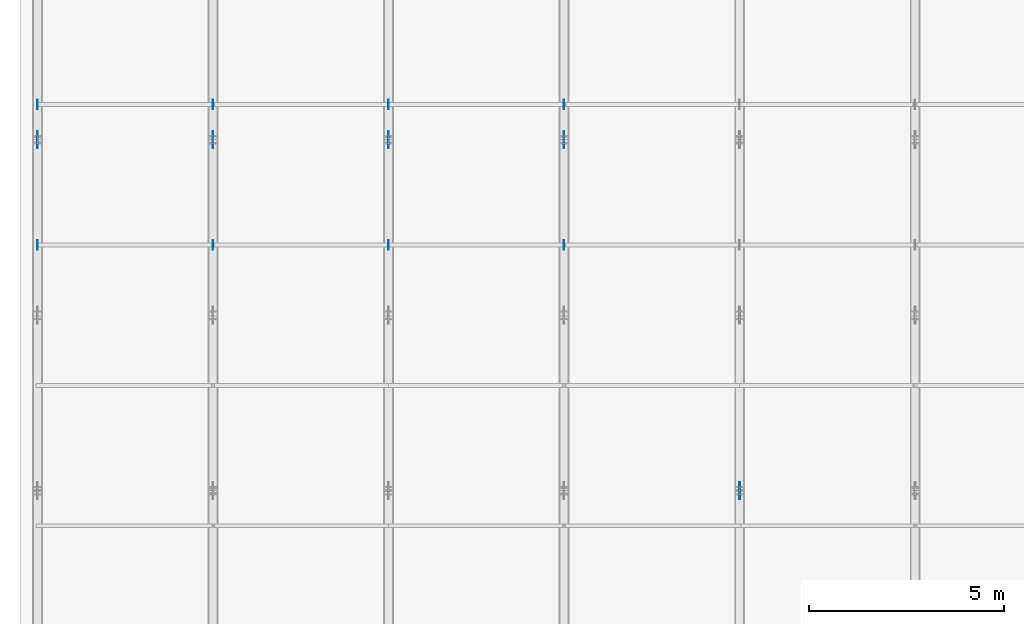
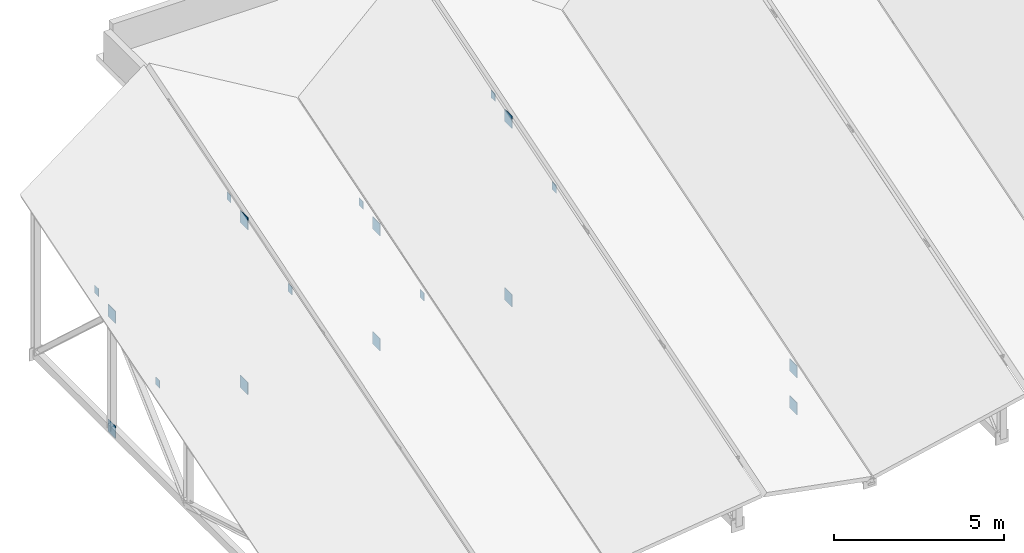
# One storey, part 118 of 142: 18 plates.
"""IFC4 building model written with IfcOpenShell, lengths in metres."""

from ifc_helpers import new_model, si_unit, direction, frame, origin, origin_2d, place, context, subcontext, project, spatial, rectangle, extrude, material, layer, layer_set, type_object, element, save


model = new_model("IFC4")

# Units and contexts
model_context = context("Model", 3, precision=1e-05, world=origin(), true_north=direction((0.0, 1.0)))
body_context = subcontext(model_context, "Body", "Model", "MODEL_VIEW")
ifc_project = project(units=[si_unit("LENGTHUNIT", "METRE"), si_unit("AREAUNIT", "SQUARE_METRE"), si_unit("VOLUMEUNIT", "CUBIC_METRE"), si_unit("PLANEANGLEUNIT", "RADIAN"), si_unit("MASSUNIT", "GRAM", prefix="KILO")], contexts=[model_context])

# Site, building, storey
site_placement = place(None, origin())
site = spatial("IfcSite", under=ifc_project, at=site_placement, CompositionType="ELEMENT")
building_placement = place(site_placement, origin())
building = spatial("IfcBuilding", under=site, at=building_placement, Name="Montelvaro Courts of Justice", CompositionType="ELEMENT")
storey_placement = place(building_placement, frame((0.0, 0.0, 14.39990234375)))
storey = spatial("IfcBuildingStorey", under=building, at=storey_placement, Name="L03", CompositionType="ELEMENT", Elevation=14.39990234375)

# Plates
ifc_material = material(Name="Steel S355", Category="steel")
ifc_layer_1 = layer(ifc_material, 0.011962890625)
ifc_layer_set_1 = layer_set([ifc_layer_1], Name="Steel S355")
plate_type_1 = type_object("IfcPlateType", Name="EndCapPlate_12", PredefinedType="USERDEFINED", material=ifc_layer_set_1)
for number, where, z_axis, x_axis, name in (
    (1, (18.0, 88.800048828125, 2.85009765625), (0.0, 0.0, 1.0), (1.0, 0.0, 0.0), "Purlin End Cap Plate CP-01 01-3L-A"),
    (2, (22.5, 88.800048828125, 4.64990234375), (0.0, 0.0, 1.0), (1.0, 0.0, 0.0), "Purlin End Cap Plate CP-01 01-3L-B"),
    (3, (27.0, 88.800048828125, 2.85009765625), (0.0, 0.0, 1.0), (1.0, 0.0, 0.0), "Purlin End Cap Plate CP-01 01-3R-B"),
    (4, (18.0, 92.39990234375, 3.97021484375), (0.0, 0.0, 1.0), (1.0, 0.0, 0.0), "Purlin End Cap Plate CP-01 01-4L-A"),
    (5, (22.5, 92.39990234375, 5.77001953125), (0.0, 0.0, 1.0), (1.0, 0.0, 0.0), "Purlin End Cap Plate CP-01 01-4L-B"),
    (6, (27.0, 92.39990234375, 3.97021484375), (0.0, 0.0, 1.0), (1.0, 0.0, 0.0), "Purlin End Cap Plate CP-01 01-4R-B"),
    (7, (31.5, 88.800048828125, 5.14990234375), (0.0, 0.0, 1.0), (1.0, 0.0, 0.0), "Purlin End Cap Plate CP-01 02-3L-B"),
    (8, (31.5, 92.39990234375, 6.27001953125), (0.0, 0.0, 1.0), (1.0, 0.0, 0.0), "Purlin End Cap Plate CP-01 02-4L-B"),
):
    element("IfcPlate", number, at=place(storey_placement, frame(where, z_axis=z_axis, x_axis=x_axis)), inside=storey, type_object=plate_type_1, Name=name, ObjectType="GUSSET PLATE", PredefinedType="USERDEFINED", context=body_context, shape_type="SweptSolid", body=[
        extrude(rectangle(XDim=0.011962890625, YDim=0.239990234375, at=origin_2d()), origin(), (0.0, 0.0, 1.0), 0.280029296875),
    ])
ifc_layer_2 = layer(ifc_material, 0.02001953125)
ifc_layer_set_2 = layer_set([ifc_layer_2], Name="Steel S355")
plate_type_2 = type_object("IfcPlateType", Name="GussetPlate_20", PredefinedType="USERDEFINED", material=ifc_layer_set_2)
for number, where, z_axis, x_axis, name in (
    (9, (18.0, 91.5, -0.519775390625), (0.0, 0.0, 1.0), (1.0, 0.0, 0.0), "Roof Truss Gusset Plate GP-01 ROOF-V1-VTR01-3B"),
    (10, (18.0, 91.5, 3.610107421875), (0.0, 0.0, 1.0), (1.0, 0.0, 0.0), "Roof Truss Gusset Plate GP-01 ROOF-V1-VTR01-3T"),
    (11, (27.0, 91.5, -0.519775390625), (0.0, 0.0, 1.0), (1.0, 0.0, 0.0), "Roof Truss Gusset Plate GP-01 ROOF-V1-VTR02-3B"),
    (12, (27.0, 91.5, 3.610107421875), (0.0, 0.0, 1.0), (1.0, 0.0, 0.0), "Roof Truss Gusset Plate GP-01 ROOF-V1-VTR02-3T"),
    (13, (36.0, 82.5, -0.519775390625), (0.0, 0.0, 1.0), (1.0, 0.0, 0.0), "Roof Truss Gusset Plate GP-01 ROOF-V1-VTR03-1B"),
    (14, (36.0, 82.5, 0.81005859375), (0.0, 0.0, 1.0), (1.0, 0.0, 0.0), "Roof Truss Gusset Plate GP-01 ROOF-V1-VTR03-1T"),
    (15, (22.5, 91.5, -0.519775390625), (0.0, 0.0, 1.0), (1.0, 0.0, 0.0), "Roof Truss Gusset Plate GP-01 ROOF-V1-RTR01-3B"),
    (16, (22.5, 91.5, 5.41015625), (0.0, 0.0, 1.0), (1.0, 0.0, 0.0), "Roof Truss Gusset Plate GP-01 ROOF-V1-RTR01-3T"),
    (17, (31.5, 91.5, -0.519775390625), (0.0, 0.0, 1.0), (1.0, 0.0, 0.0), "Roof Truss Gusset Plate GP-01 ROOF-V1-RTR02-3B"),
    (18, (31.5, 91.5, 5.91015625), (0.0, 0.0, 1.0), (1.0, 0.0, 0.0), "Roof Truss Gusset Plate GP-01 ROOF-V1-RTR02-3T"),
):
    element("IfcPlate", number, at=place(storey_placement, frame(where, z_axis=z_axis, x_axis=x_axis)), inside=storey, type_object=plate_type_2, Name=name, ObjectType="GUSSET PLATE", PredefinedType="USERDEFINED", context=body_context, shape_type="SweptSolid", body=[
        extrude(rectangle(XDim=0.02001953125, YDim=0.43994140625, at=origin_2d()), origin(), (0.0, 0.0, 1.0), 0.43994140625),
    ])

save(model, "model.ifc")
